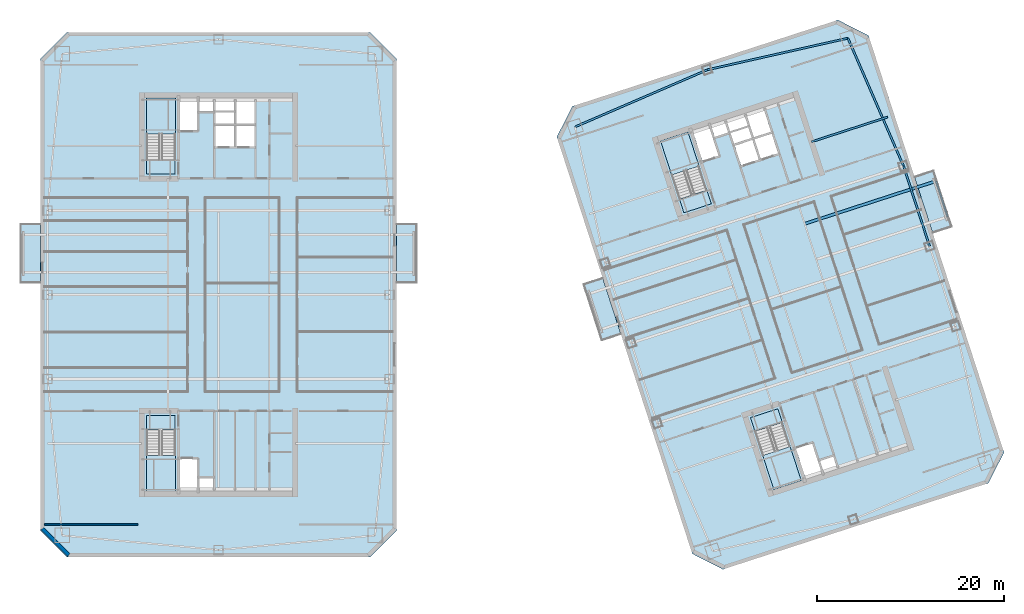
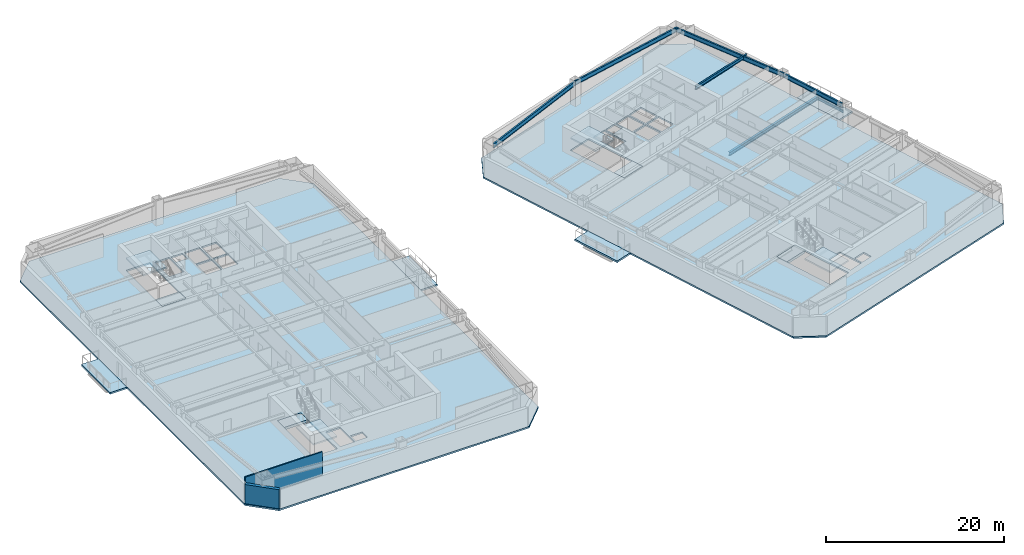
# One storey, part 3 of 15: 14 slabs, 7 beams, 2 walls, 4 elements without a shape of their own.
"""IFC4 building model written with IfcOpenShell, lengths in metres."""

import ifcopenshell
import ifcopenshell.guid

model = None  # the IFC model being written
_history = None  # IfcOwnerHistory: only IFC2X3 demands one
_inside = {}  # id of a spatial element -> (the spatial element, [elements in it])
_under = {}  # id of a project, library or spatial element -> (it, [spatial elements below it])
_declared = {}  # id of a project -> (the project, [libraries it declares])
_typed = {}  # id of a type object -> (the type object, [elements of that type])
_made_of = {}  # id of a material, layer set ... -> (it, [elements and type objects made of it])


def new_model(schema):
    """Start an empty IFC model of exactly this schema.

    Asked for "IFC4X3", IfcOpenShell would pick the latest addendum, in which some entities
    have other attributes; the version numbers below select the first issue.
    IFC2X3 requires an IfcOwnerHistory on every rooted entity: one is made here for all.
    """
    global model, _history
    if schema == "IFC4X3":
        model = ifcopenshell.file(schema_version=(4, 3, 0, 0))
    else:
        model = ifcopenshell.file(schema=schema)
    _inside.clear()
    _under.clear()
    _declared.clear()
    _typed.clear()
    _made_of.clear()
    _history = None
    if model.schema == "IFC2X3":
        org = make("IfcOrganization", Name="unknown")
        user = make(
            "IfcPersonAndOrganization",
            ThePerson=make("IfcPerson", FamilyName="unknown"),
            TheOrganization=org,
        )
        app = make(
            "IfcApplication",
            ApplicationDeveloper=org,
            Version="unknown",
            ApplicationFullName="unknown",
            ApplicationIdentifier="unknown",
        )
        _history = make(
            "IfcOwnerHistory",
            OwningUser=user,
            OwningApplication=app,
            ChangeAction="ADDED",
            CreationDate=0,
        )
    return model


def make(cls, **values):
    """One entity of the class cls with the attributes given. An attribute that is None is left unset."""
    return model.create_entity(
        cls, **{name: value for name, value in values.items() if value is not None}
    )


def rooted(cls, **values):
    """An entity with a GlobalId (a new one), such as an element, a storey or a relation."""
    return make(cls, GlobalId=ifcopenshell.guid.new(), OwnerHistory=_history, **values)


def si_unit(unit_type, name, prefix=None):
    """IfcSIUnit, for example si_unit("LENGTHUNIT", "METRE", prefix="MILLI")."""
    return make("IfcSIUnit", UnitType=unit_type, Prefix=prefix, Name=name)


def assignment(units):
    """IfcUnitAssignment: the units of a project."""
    return None if units is None else make("IfcUnitAssignment", Units=units)


def point(xyz):
    """IfcCartesianPoint."""
    return None if xyz is None else make("IfcCartesianPoint", Coordinates=xyz)


def direction(xyz):
    """IfcDirection."""
    return None if xyz is None else make("IfcDirection", DirectionRatios=xyz)


def frame(location, z_axis=None, x_axis=None):
    """IfcAxis2Placement3D, a coordinate frame: its origin and axes. An axis left out is left unset."""
    return make(
        "IfcAxis2Placement3D",
        Location=point(location),
        Axis=direction(z_axis),
        RefDirection=direction(x_axis),
    )


def frame_2d(location, x_axis=None):
    """IfcAxis2Placement2D, a coordinate frame in the plane: its origin and x axis."""
    return make(
        "IfcAxis2Placement2D", Location=point(location), RefDirection=direction(x_axis)
    )


def origin():
    """The frame at (0, 0, 0) with its axes left unset."""
    return frame((0.0, 0.0, 0.0))


def origin_2d():
    """The frame at (0, 0) in the plane with its x axis left unset."""
    return frame_2d((0.0, 0.0))


def place(relative_to, where):
    """IfcLocalPlacement: puts the frame where relative to a parent placement (None: the world)."""
    return make(
        "IfcLocalPlacement", PlacementRelTo=relative_to, RelativePlacement=where
    )


def context(
    kind, dimensions, precision=None, world=None, true_north=None, identifier=None
):
    """IfcGeometricRepresentationContext, for example the 3D "Model" context."""
    return make(
        "IfcGeometricRepresentationContext",
        ContextIdentifier=identifier,
        ContextType=kind,
        CoordinateSpaceDimension=dimensions,
        Precision=precision,
        WorldCoordinateSystem=world,
        TrueNorth=true_north,
    )


def subcontext(parent, identifier, kind, view, scale=None):
    """IfcGeometricRepresentationSubContext, for example "Body" below "Model"."""
    return make(
        "IfcGeometricRepresentationSubContext",
        ContextIdentifier=identifier,
        ContextType=kind,
        ParentContext=parent,
        TargetScale=scale,
        TargetView=view,
    )


def project(units=None, contexts=None):
    """IfcProject with its units and contexts."""
    return rooted(
        "IfcProject",
        Name="project",
        RepresentationContexts=contexts,
        UnitsInContext=assignment(units),
    )


def spatial(cls, under=None, at=None, **own):
    """A site, building, storey or space (cls), placed at a placement, below another one or the project."""
    s = rooted(cls, ObjectPlacement=at, **own)
    if under is not None:
        _under.setdefault(under.id(), (under, []))[1].append(s)
    return s


def polyline(points):
    """IfcPolyline through the points."""
    return make("IfcPolyline", Points=[point(p) for p in points])


def profile(cls, at=None, kind="AREA", **sizes):
    """A parametric profile (cls). Its sizes go by their IFC names, for example OverallWidth=200.0."""
    return make(cls, ProfileType=kind, Position=at, **sizes)


def rectangle(**sizes):
    """IfcRectangleProfileDef."""
    return profile("IfcRectangleProfileDef", **sizes)


def i_section(**sizes):
    """IfcIShapeProfileDef."""
    return profile("IfcIShapeProfileDef", **sizes)


def outline(outer, holes=None, kind="AREA"):
    """IfcArbitraryClosedProfileDef: a profile drawn as a closed curve; with holes, ...WithVoids."""
    if holes is None:
        return make("IfcArbitraryClosedProfileDef", ProfileType=kind, OuterCurve=outer)
    return make(
        "IfcArbitraryProfileDefWithVoids",
        ProfileType=kind,
        OuterCurve=outer,
        InnerCurves=holes,
    )


def extrude(swept, where, along, depth):
    """IfcExtrudedAreaSolid: the profile swept, set in the frame where, extruded along a direction by depth."""
    return make(
        "IfcExtrudedAreaSolid",
        SweptArea=swept,
        Position=where,
        ExtrudedDirection=direction(along),
        Depth=depth,
    )


def shape(context_of_items, identifier, shape_type, items):
    """IfcShapeRepresentation: the items that make up one representation, for example the "Body"."""
    return make(
        "IfcShapeRepresentation",
        ContextOfItems=context_of_items,
        RepresentationIdentifier=identifier,
        RepresentationType=shape_type,
        Items=items,
    )


def material(Name=None, Category=None):
    """IfcMaterial."""
    return make("IfcMaterial", Name=Name, Category=Category)


def layer(
    of_material, thickness, ventilated=None, Name=None, Category=None, Priority=None
):
    """IfcMaterialLayer: one layer of a wall or slab, of a material (None: an air gap)."""
    return make(
        "IfcMaterialLayer",
        Material=of_material,
        LayerThickness=thickness,
        IsVentilated=ventilated,
        Name=Name,
        Category=Category,
        Priority=Priority,
    )


def layer_set(layers, Name=None):
    """IfcMaterialLayerSet."""
    return make("IfcMaterialLayerSet", MaterialLayers=layers, LayerSetName=Name)


def material_profile(
    of_material, cross_section, Name=None, Category=None, Priority=None
):
    """IfcMaterialProfile: a cross section and its material."""
    return make(
        "IfcMaterialProfile",
        Name=Name,
        Material=of_material,
        Profile=cross_section,
        Priority=Priority,
        Category=Category,
    )


def profile_set(profiles, Name=None, composite=None):
    """IfcMaterialProfileSet."""
    return make(
        "IfcMaterialProfileSet",
        Name=Name,
        MaterialProfiles=profiles,
        CompositeProfile=composite,
    )


def made_of(thing, what):
    """Note that an element or type object is made of a material, layer set ...; save() writes the relation."""
    if what is not None:
        _made_of.setdefault(what.id(), (what, []))[1].append(thing)
    return thing


def type_object(cls, material=None, **own):
    """A type object (cls), such as IfcWallType, which elements share."""
    return made_of(rooted(cls, **own), material)


def element(
    cls,
    number,
    at=None,
    inside=None,
    cuts=None,
    type_object=None,
    material=None,
    context=None,
    identifier="Body",
    shape_type=None,
    held_by="IfcProductDefinitionShape",
    body=None,
    shapes=None,
    **own,
):
    """One element of the class cls, such as IfcWall. Its Tag is "e" and its number.

    at: its placement. inside: the storey or other place that contains it. cuts: it is an
    opening in that element (IfcRelVoidsElement). A single representation is given by context,
    identifier, shape_type and body (its items); several are given by shapes. held_by: the class
    of the entity that holds the representations. save() writes the other relations.
    """
    e = rooted(cls, Tag="e%d" % number, ObjectPlacement=at, **own)
    if body is not None:
        shapes = [shape(context, identifier, shape_type, body)]
    if shapes is not None:
        e.Representation = make(held_by, Representations=shapes)
    if inside is not None:
        _inside.setdefault(inside.id(), (inside, []))[1].append(e)
    if cuts is not None:
        rooted(
            "IfcRelVoidsElement", RelatingBuildingElement=cuts, RelatedOpeningElement=e
        )
    if type_object is not None:
        _typed.setdefault(type_object.id(), (type_object, []))[1].append(e)
    return made_of(e, material)


def aggregate(whole, parts):
    """IfcRelAggregates: a whole, such as a stair, and the parts it consists of."""
    return rooted("IfcRelAggregates", RelatingObject=whole, RelatedObjects=parts)


def save(model, path):
    """Write the relations noted so far, then the file.

    IfcRelAggregates (storeys below a building ...), IfcRelContainedInSpatialStructure (elements
    in a storey), IfcRelDefinesByType, IfcRelAssociatesMaterial and IfcRelDeclares: one each for
    every whole, place, type object, material and project.
    """
    for whole, parts in _under.values():
        aggregate(whole, parts)
    for where, things in _inside.values():
        rooted(
            "IfcRelContainedInSpatialStructure",
            RelatedElements=things,
            RelatingStructure=where,
        )
    for kind, things in _typed.values():
        rooted("IfcRelDefinesByType", RelatedObjects=things, RelatingType=kind)
    for what, things in _made_of.values():
        rooted("IfcRelAssociatesMaterial", RelatedObjects=things, RelatingMaterial=what)
    for by, libraries in _declared.values():
        rooted("IfcRelDeclares", RelatingContext=by, RelatedDefinitions=libraries)
    model.write(path)


model = new_model("IFC4")

# Units and contexts
model_context = context("Model", 3, precision=1e-05, world=origin(), true_north=direction((0.0, 1.0)))
body_context = subcontext(model_context, "Body", "Model", "MODEL_VIEW")
ifc_project = project(units=[si_unit("LENGTHUNIT", "METRE"), si_unit("AREAUNIT", "SQUARE_METRE"), si_unit("VOLUMEUNIT", "CUBIC_METRE"), si_unit("PLANEANGLEUNIT", "RADIAN"), si_unit("MASSUNIT", "GRAM", prefix="KILO")], contexts=[model_context])

# Site, building, storey
site_placement = place(None, origin())
site = spatial("IfcSite", under=ifc_project, at=site_placement, CompositionType="ELEMENT")
building_placement = place(site_placement, origin())
building = spatial("IfcBuilding", under=site, at=building_placement, Name="Qiaolan Cultural Towers", CompositionType="ELEMENT")
storey_placement = place(building_placement, frame((0.0, 0.0, 113.85009765625)))
storey = spatial("IfcBuildingStorey", under=building, at=storey_placement, Name="L29", CompositionType="ELEMENT", Elevation=113.85009765625)

# Beams
ifc_material_1 = material(Name="Steel Q355B", Category="steel")
ifc_material_profile_1 = material_profile(ifc_material_1, i_section(OverallWidth=0.300048828125, OverallDepth=0.488037109375, WebThickness=0.010986328125, FlangeThickness=0.01806640625, at=origin_2d()), Name="HM488x300x11x18")
ifc_profile_set_1 = profile_set([ifc_material_profile_1], Name="Steel Q355B")
beam_type_1 = type_object("IfcBeamType", Name="BM-HM488x300x11x18", PredefinedType="BEAM", material=ifc_profile_set_1)
beam_1_placement = place(storey_placement, frame((92.58740234375, 41.570068359375, -0.524169921875), z_axis=(0.951059244395, 0.30900859802, 0.0), x_axis=(-0.30900859802, 0.951059244395, 0.0)))
element("IfcBeam", 1, at=beam_1_placement, inside=storey, type_object=beam_type_1, Name="L29 T2 Tree Balcony Back-Spanned Bracket Beam", PredefinedType="BEAM", context=body_context, shape_type="SweptSolid", body=[
    extrude(i_section(OverallWidth=0.300048828125, OverallDepth=0.488037109375, WebThickness=0.010986328125, FlangeThickness=0.01806640625, at=origin_2d()), origin(), (0.0, 0.0, 1.0), 14.75),
])
ifc_material_2 = material(Name="Steel Q355B", Category="steel")
ifc_material_profile_2 = material_profile(ifc_material_2, i_section(OverallWidth=0.175048828125, OverallDepth=0.35009765625, WebThickness=0.007080078125, FlangeThickness=0.010986328125, at=origin_2d()), Name="HN350x175x7x11")
ifc_profile_set_2 = profile_set([ifc_material_profile_2], Name="Steel Q355B")
beam_type_2 = type_object("IfcBeamType", Name="BM-JST-HN350x175x7x11", PredefinedType="JOIST", material=ifc_profile_set_2)
beam_2_placement = place(storey_placement, frame((107.8515625, 42.32373046875, -0.524169921875), z_axis=(-0.309022586479, 0.951054699292, 0.0), x_axis=(-0.951054699292, -0.309022586479, 0.0)))
element("IfcBeam", 2, at=beam_2_placement, inside=storey, type_object=beam_type_2, Name="L29 T2 Tree Balcony Outer Edge Beam", PredefinedType="JOIST", context=body_context, shape_type="SweptSolid", body=[
    extrude(i_section(OverallWidth=0.175048828125, OverallDepth=0.35009765625, WebThickness=0.007080078125, FlangeThickness=0.010986328125, at=origin_2d()), origin(), (0.0, 0.0, 1.0), 4.0),
])
ifc_material_3 = material(Name="Steel Q355B", Category="steel")
ifc_material_profile_3 = material_profile(ifc_material_3, i_section(OverallWidth=0.199951171875, OverallDepth=0.449951171875, WebThickness=0.009033203125, FlangeThickness=0.013916015625, at=origin_2d()), Name="HN450x200x9x14")
ifc_profile_set_3 = profile_set([ifc_material_profile_3], Name="Steel Q355B")
beam_type_3 = type_object("IfcBeamType", Name="BM-LNT-HN450x200x9x14", PredefinedType="LINTEL", material=ifc_profile_set_3)
beam_3_placement = place(storey_placement, frame((93.31787109375, 50.32421875, 2.96484375), z_axis=(0.951057358187, 0.309014403287, 0.0), x_axis=(-0.309014403287, 0.951057358187, 0.0)))
element("IfcBeam", 3, at=beam_3_placement, inside=storey, type_object=beam_type_3, Name="L29 T2 Core Flank Tie Lintel EN", PredefinedType="LINTEL", context=body_context, shape_type="SweptSolid", body=[
    extrude(i_section(OverallWidth=0.199951171875, OverallDepth=0.449951171875, WebThickness=0.009033203125, FlangeThickness=0.013916015625, at=origin_2d()), origin(), (0.0, 0.0, 1.0), 8.550048828125),
])
ifc_material_4 = material(Name="Steel Q355B", Category="steel")
ifc_material_profile_4 = material_profile(ifc_material_4, i_section(OverallWidth=0.199951171875, OverallDepth=0.60009765625, WebThickness=0.010986328125, FlangeThickness=0.01708984375, at=origin_2d()), Name="HN600x200x11x17")
ifc_profile_set_4 = profile_set([ifc_material_profile_4], Name="Steel Q355B")
beam_type_4 = type_object("IfcBeamType", Name="BM-SPD-HN600x200x11x17", PredefinedType="SPANDREL", material=ifc_profile_set_4)
beam_4_placement = place(storey_placement, frame((105.93017578125, 39.176025390625, 2.889892578125), z_axis=(-0.309024734286, 0.951054001411, 0.0), x_axis=(-0.951054001411, -0.309024734286, 0.0)))
element("IfcBeam", 4, at=beam_4_placement, inside=storey, type_object=beam_type_4, Name="L29 T2 Perimeter Spandrel Beam 5", PredefinedType="SPANDREL", context=body_context, shape_type="SweptSolid", body=[
    extrude(i_section(OverallWidth=0.199951171875, OverallDepth=0.60009765625, WebThickness=0.010986328125, FlangeThickness=0.01708984375, at=origin_2d()), origin(), (0.0, 0.0, 1.0), 9.0),
])
beam_5_placement = place(storey_placement, frame((103.14892578125, 47.735595703125, 2.889892578125), z_axis=(-0.398920370799, 0.916985571185, 0.0), x_axis=(-0.916985571185, -0.398920370799, 0.0)))
element("IfcBeam", 5, at=beam_5_placement, inside=storey, type_object=beam_type_4, Name="L29 T2 Perimeter Spandrel Beam 6", PredefinedType="SPANDREL", context=body_context, shape_type="SweptSolid", body=[
    extrude(i_section(OverallWidth=0.199951171875, OverallDepth=0.60009765625, WebThickness=0.010986328125, FlangeThickness=0.01708984375, at=origin_2d()), origin(), (0.0, 0.0, 1.0), 14.888916015625),
])
beam_6_placement = place(storey_placement, frame((97.20947265625, 61.388427734375, 2.889892578125), z_axis=(-0.975658154374, -0.219296980836, 0.0), x_axis=(0.219296980836, -0.975658154374, 0.0)))
element("IfcBeam", 6, at=beam_6_placement, inside=storey, type_object=beam_type_4, Name="L29 T2 Perimeter Spandrel Beam 7", PredefinedType="SPANDREL", context=body_context, shape_type="SweptSolid", body=[
    extrude(i_section(OverallWidth=0.199951171875, OverallDepth=0.60009765625, WebThickness=0.010986328125, FlangeThickness=0.01708984375, at=origin_2d()), origin(), (0.0, 0.0, 1.0), 15.38671875),
])
beam_7_placement = place(storey_placement, frame((82.197265625, 58.01416015625, 2.889892578125), z_axis=(-0.918217549337, -0.396076422032, 0.0), x_axis=(0.396076422032, -0.918217549337, 0.0)))
element("IfcBeam", 7, at=beam_7_placement, inside=storey, type_object=beam_type_4, Name="L29 T2 Perimeter Spandrel Beam 8", PredefinedType="SPANDREL", context=body_context, shape_type="SweptSolid", body=[
    extrude(i_section(OverallWidth=0.199951171875, OverallDepth=0.60009765625, WebThickness=0.010986328125, FlangeThickness=0.01708984375, at=origin_2d()), origin(), (0.0, 0.0, 1.0), 15.386474609375),
])

# Slabs
ifc_material_5 = material(Name="Concrete C45", Category="concrete")
ifc_layer_1 = layer(ifc_material_5, 0.239990234375)
ifc_layer_set_1 = layer_set([ifc_layer_1], Name="Concrete C45")
slab_type_1 = type_object("IfcSlabType", Name="SL-BAL-240", PredefinedType="FLOOR", material=ifc_layer_set_1)
slab_1_placement = place(storey_placement, frame((0.0, 0.0, -0.239990234375)))
element("IfcSlab", 8, at=slab_1_placement, inside=storey, type_object=slab_type_1, Name="L29 T1 Planted Tree Balcony W", PredefinedType="FLOOR", context=body_context, shape_type="SweptSolid", body=[
    extrude(outline(polyline([(8.800048828125, 35.199951171875), (11.0, 35.199951171875), (11.0, 41.60009765625), (8.800048828125, 41.60009765625), (8.800048828125, 35.199951171875)])), origin(), (0.0, 0.0, 1.0), 0.239990234375),
])
slab_2_placement = place(storey_placement, frame((0.0, 0.0, -0.239990234375)))
element("IfcSlab", 9, at=slab_2_placement, inside=storey, type_object=slab_type_1, Name="L29 T1 Planted Tree Balcony E", PredefinedType="FLOOR", context=body_context, shape_type="SweptSolid", body=[
    extrude(outline(polyline([(49.0, 35.199951171875), (51.199951171875, 35.199951171875), (51.199951171875, 41.60009765625), (49.0, 41.60009765625), (49.0, 35.199951171875)])), origin(), (0.0, 0.0, 1.0), 0.239990234375),
])
slab_3_placement = place(storey_placement, frame((0.0, 0.0, -0.239990234375)))
element("IfcSlab", 10, at=slab_3_placement, inside=storey, type_object=slab_type_1, Name="L29 T2 Planted Tree Balcony W", PredefinedType="FLOOR", context=body_context, shape_type="SweptSolid", body=[
    extrude(outline(polyline([(70.893310546875, 29.0537109375), (72.985595703125, 29.7333984375), (71.008056640625, 35.8203125), (68.915771484375, 35.140380859375), (70.893310546875, 29.0537109375)])), origin(), (0.0, 0.0, 1.0), 0.239990234375),
])
slab_4_placement = place(storey_placement, frame((0.0, 0.0, -0.239990234375)))
element("IfcSlab", 11, at=slab_4_placement, inside=storey, type_object=slab_type_1, Name="L29 T2 Planted Tree Balcony E", PredefinedType="FLOOR", context=body_context, shape_type="SweptSolid", body=[
    extrude(outline(polyline([(106.272705078125, 40.549072265625), (108.364990234375, 41.22900390625), (106.38720703125, 47.315673828125), (104.294921875, 46.6357421875), (106.272705078125, 40.549072265625)])), origin(), (0.0, 0.0, 1.0), 0.239990234375),
])

# Stair, slab
ifc_material_6 = material(Name="Concrete C45", Category="concrete")
stair_type = type_object("IfcStairType", Name="STR-CORE-1500", PredefinedType="HALF_TURN_STAIR", material=ifc_material_6)
stair_1_placement = place(storey_placement, origin())
stair_1 = element("IfcStair", 12, at=stair_1_placement, inside=storey, type_object=stair_type, Name="L29 Smokeproof Exit Stair ST-W1", PredefinedType="HALF_TURN_STAIR")
ifc_material_7 = material(Name="Concrete C45", Category="concrete")
ifc_layer_2 = layer(ifc_material_7, 0.199951171875)
ifc_layer_set_2 = layer_set([ifc_layer_2], Name="Concrete C45")
slab_type_2 = type_object("IfcSlabType", Name="SL-STAIR-LAND", PredefinedType="LANDING", material=ifc_layer_set_2)
slab_5_placement = place(storey_placement, frame((0.0, 0.0, 1.52490234375)))
slab_5 = element("IfcSlab", 13, at=slab_5_placement, type_object=slab_type_2, Name="ST-W1 landing 1", PredefinedType="LANDING", context=body_context, shape_type="SweptSolid", body=[
    extrude(outline(polyline([(22.300048828125, 16.851318359375), (22.300048828125, 13.0), (25.3798828125, 13.0), (25.3798828125, 16.851318359375), (22.300048828125, 16.851318359375)])), origin(), (0.0, 0.0, 1.0), 0.199951171875),
])
aggregate(stair_1, [slab_5])

stair_2_placement = place(storey_placement, origin())
stair_2 = element("IfcStair", 14, at=stair_2_placement, inside=storey, type_object=stair_type, Name="L29 Smokeproof Exit Stair ST-W2", PredefinedType="HALF_TURN_STAIR")
slab_6_placement = place(storey_placement, frame((0.0, 0.0, 1.52490234375)))
slab_6 = element("IfcSlab", 15, at=slab_6_placement, type_object=slab_type_2, Name="ST-W2 landing 1", PredefinedType="LANDING", context=body_context, shape_type="SweptSolid", body=[
    extrude(outline(polyline([(25.3798828125, 51.148681640625), (25.3798828125, 55.0), (22.300048828125, 55.0), (22.300048828125, 51.148681640625), (25.3798828125, 51.148681640625)])), origin(), (0.0, 0.0, 1.0), 0.199951171875),
])
aggregate(stair_2, [slab_6])

stair_3_placement = place(storey_placement, origin())
stair_3 = element("IfcStair", 16, at=stair_3_placement, inside=storey, type_object=stair_type, Name="L29 Smokeproof Exit Stair ST-E1", PredefinedType="HALF_TURN_STAIR")
slab_7_placement = place(storey_placement, frame((0.0, 0.0, 1.52490234375)))
slab_7 = element("IfcSlab", 17, at=slab_7_placement, type_object=slab_type_2, Name="ST-E1 landing 1", PredefinedType="LANDING", context=body_context, shape_type="SweptSolid", body=[
    extrude(outline(polyline([(88.114013671875, 16.828125), (89.30419921875, 13.165283203125), (92.2333984375, 14.116943359375), (91.04345703125, 17.77978515625), (88.114013671875, 16.828125)])), origin(), (0.0, 0.0, 1.0), 0.199951171875),
])
aggregate(stair_3, [slab_7])

stair_4_placement = place(storey_placement, origin())
stair_4 = element("IfcStair", 18, at=stair_4_placement, inside=storey, type_object=stair_type, Name="L29 Smokeproof Exit Stair ST-E2", PredefinedType="HALF_TURN_STAIR")
slab_8_placement = place(storey_placement, frame((0.0, 0.0, 1.52490234375)))
slab_8 = element("IfcSlab", 19, at=slab_8_placement, type_object=slab_type_2, Name="ST-E2 landing 1", PredefinedType="LANDING", context=body_context, shape_type="SweptSolid", body=[
    extrude(outline(polyline([(81.31005859375, 47.735595703125), (80.1201171875, 51.3984375), (77.190673828125, 50.44677734375), (78.380859375, 46.783935546875), (81.31005859375, 47.735595703125)])), origin(), (0.0, 0.0, 1.0), 0.199951171875),
])
aggregate(stair_4, [slab_8])

# Slabs
ifc_material_8 = material(Name="Concrete C40", Category="concrete")
ifc_layer_3 = layer(ifc_material_8, 0.360107421875)
ifc_layer_set_3 = layer_set([ifc_layer_3], Name="Concrete C40")
slab_type_3 = type_object("IfcSlabType", Name="SL-STFLR-360", PredefinedType="LANDING", material=ifc_layer_set_3)
slab_9_placement = place(storey_placement, frame((0.0, 0.0, -0.360107421875)))
element("IfcSlab", 20, at=slab_9_placement, inside=storey, type_object=slab_type_3, Name="L29 ST-W1 Stair Floor Landing Slab", PredefinedType="LANDING", context=body_context, shape_type="SweptSolid", body=[
    extrude(outline(polyline([(22.302001953125, 21.097900390625), (22.302001953125, 19.548583984375), (25.3779296875, 19.548583984375), (25.3779296875, 21.097900390625), (22.302001953125, 21.097900390625)])), origin(), (0.0, 0.0, 1.0), 0.360107421875),
])
slab_10_placement = place(storey_placement, frame((0.0, 0.0, -0.360107421875)))
element("IfcSlab", 21, at=slab_10_placement, inside=storey, type_object=slab_type_3, Name="L29 ST-W2 Stair Floor Landing Slab", PredefinedType="LANDING", context=body_context, shape_type="SweptSolid", body=[
    extrude(outline(polyline([(25.3779296875, 46.902099609375), (25.3779296875, 48.451416015625), (22.302001953125, 48.451416015625), (22.302001953125, 46.902099609375), (25.3779296875, 46.902099609375)])), origin(), (0.0, 0.0, 1.0), 0.360107421875),
])
slab_11_placement = place(storey_placement, frame((0.0, 0.0, -0.360107421875)))
element("IfcSlab", 22, at=slab_11_placement, inside=storey, type_object=slab_type_3, Name="L29 ST-E1 Stair Floor Landing Slab", PredefinedType="LANDING", context=body_context, shape_type="SweptSolid", body=[
    extrude(outline(polyline([(86.8037109375, 20.867431640625), (87.282470703125, 19.39404296875), (90.2080078125, 20.3447265625), (89.729248046875, 21.818115234375), (86.8037109375, 20.867431640625)])), origin(), (0.0, 0.0, 1.0), 0.360107421875),
])
slab_12_placement = place(storey_placement, frame((0.0, 0.0, -0.360107421875)))
element("IfcSlab", 23, at=slab_12_placement, inside=storey, type_object=slab_type_3, Name="L29 ST-E2 Stair Floor Landing Slab", PredefinedType="LANDING", context=body_context, shape_type="SweptSolid", body=[
    extrude(outline(polyline([(82.62060546875, 43.6962890625), (82.141845703125, 45.169677734375), (79.21630859375, 44.21923828125), (79.695068359375, 42.74560546875), (82.62060546875, 43.6962890625)])), origin(), (0.0, 0.0, 1.0), 0.360107421875),
])
ifc_material_9 = material(Name="Concrete C45", Category="concrete")
ifc_layer_4 = layer(ifc_material_9, 0.219970703125)
ifc_layer_set_4 = layer_set([ifc_layer_4], Name="Concrete C45")
slab_type_4 = type_object("IfcSlabType", Name="SL-TYP-220", PredefinedType="FLOOR", material=ifc_layer_set_4)
slab_13_placement = place(storey_placement, frame((0.0, 0.0, -0.22021484375)))
element("IfcSlab", 24, at=slab_13_placement, inside=storey, type_object=slab_type_4, Name="L29 West Tower Floor Slab", PredefinedType="FLOOR", context=body_context, shape_type="SweptSolid", body=[
    extrude(outline(polyline([(13.800048828125, 6.0), (46.199951171875, 6.0), (49.0, 8.800048828125), (49.0, 59.199951171875), (46.199951171875, 62.0), (13.800048828125, 62.0), (11.0, 59.199951171875), (11.0, 8.800048828125), (13.800048828125, 6.0)]), holes=[polyline([(22.300048828125, 21.10009765625), (22.300048828125, 13.0), (25.3798828125, 13.0), (25.3798828125, 21.10009765625), (22.300048828125, 21.10009765625)]), polyline([(25.3798828125, 46.89990234375), (25.3798828125, 55.0), (22.300048828125, 55.0), (22.300048828125, 46.89990234375), (25.3798828125, 46.89990234375)]), polyline([(25.89990234375, 13.199951171875), (27.75, 13.199951171875), (27.75, 16.449951171875), (25.89990234375, 16.449951171875), (25.89990234375, 13.199951171875)]), polyline([(27.93994140625, 13.25), (29.449951171875, 13.25), (29.449951171875, 14.419921875), (27.93994140625, 14.419921875), (27.93994140625, 13.25)]), polyline([(25.89990234375, 51.550048828125), (27.75, 51.550048828125), (27.75, 54.800048828125), (25.89990234375, 54.800048828125), (25.89990234375, 51.550048828125)]), polyline([(27.93994140625, 53.580078125), (29.449951171875, 53.580078125), (29.449951171875, 54.75), (27.93994140625, 54.75), (27.93994140625, 53.580078125)]), polyline([(29.679931640625, 49.820068359375), (31.679931640625, 49.820068359375), (31.679931640625, 52.080078125), (29.679931640625, 52.080078125), (29.679931640625, 49.820068359375)]), polyline([(31.8798828125, 49.820068359375), (33.820068359375, 49.820068359375), (33.820068359375, 52.080078125), (31.8798828125, 52.080078125), (31.8798828125, 49.820068359375)]), polyline([(29.679931640625, 52.27001953125), (31.659912109375, 52.27001953125), (31.659912109375, 54.75), (29.679931640625, 54.75), (29.679931640625, 52.27001953125)]), polyline([(31.8798828125, 52.27001953125), (33.820068359375, 52.27001953125), (33.820068359375, 54.75), (31.8798828125, 54.75), (31.8798828125, 52.27001953125)])]), origin(), (0.0, 0.0, 1.0), 0.22021484375),
])
slab_14_placement = place(storey_placement, frame((0.0, 0.0, -0.22021484375)))
element("IfcSlab", 25, at=slab_14_placement, inside=storey, type_object=slab_type_4, Name="L29 East Tower Floor Slab", PredefinedType="FLOOR", context=body_context, shape_type="SweptSolid", body=[
    extrude(outline(polyline([(83.86376953125, 4.668212890625), (112.205078125, 13.876953125), (113.87451171875, 17.153076171875), (99.41259765625, 61.66259765625), (96.13623046875, 63.331787109375), (67.794921875, 54.123046875), (66.12548828125, 50.846923828125), (80.58740234375, 6.33740234375), (83.86376953125, 4.668212890625)]), holes=[polyline([(86.80126953125, 20.868896484375), (89.30419921875, 13.165283203125), (92.2333984375, 14.116943359375), (89.73046875, 21.820556640625), (86.80126953125, 20.868896484375)]), polyline([(82.623046875, 43.69482421875), (80.1201171875, 51.3984375), (77.190673828125, 50.44677734375), (79.69384765625, 42.7431640625), (82.623046875, 43.69482421875)]), polyline([(92.666259765625, 14.468017578125), (94.42578125, 15.03955078125), (93.42138671875, 18.130615234375), (91.661865234375, 17.558837890625), (92.666259765625, 14.468017578125)]), polyline([(94.5908203125, 15.14599609375), (96.027099609375, 15.612548828125), (95.66552734375, 16.725341796875), (94.2294921875, 16.258544921875), (94.5908203125, 15.14599609375)]), polyline([(81.6806640625, 48.278076171875), (83.440185546875, 48.849609375), (82.435791015625, 51.940673828125), (80.67626953125, 51.368896484375), (81.6806640625, 48.278076171875)]), polyline([(82.993408203125, 50.839111328125), (84.4296875, 51.3056640625), (84.068115234375, 52.41845703125), (82.632080078125, 51.95166015625), (82.993408203125, 50.839111328125)]), polyline([(85.810302734375, 47.80078125), (87.71240234375, 48.418701171875), (87.013916015625, 50.568115234375), (85.11181640625, 49.9501953125), (85.810302734375, 47.80078125)]), polyline([(87.902587890625, 48.480712890625), (89.74755859375, 49.080078125), (89.04931640625, 51.2294921875), (87.2041015625, 50.6298828125), (87.902587890625, 48.480712890625)]), polyline([(85.05322265625, 50.130859375), (86.936279296875, 50.74267578125), (86.169921875, 53.101318359375), (84.286865234375, 52.489501953125), (85.05322265625, 50.130859375)]), polyline([(87.1455078125, 50.810791015625), (88.990478515625, 51.41015625), (88.22412109375, 53.768798828125), (86.379150390625, 53.169189453125), (87.1455078125, 50.810791015625)])]), origin(), (0.0, 0.0, 1.0), 0.22021484375),
])

# Walls
ifc_material_10 = material(Name="Precast Concrete C50 Honed Stone Pier", Category="masonry")
ifc_layer_5 = layer(ifc_material_10, 0.39990234375)
ifc_layer_set_5 = layer_set([ifc_layer_5], Name="Precast Concrete C50 Honed Stone Pier")
wall_type_1 = type_object("IfcWallType", Name="WL-EXT-PIER-400", PredefinedType="SOLIDWALL", material=ifc_layer_set_5)
wall_1_placement = place(storey_placement, frame((14.0, 6.199951171875, 0.0), z_axis=(0.0, 0.0, 1.0), x_axis=(-0.707106781187, 0.707106781187, 0.0)))
element("IfcWall", 26, at=wall_1_placement, inside=storey, type_object=wall_type_1, Name="L29 West Tower Precast Pier Facade Wall F8", PredefinedType="SOLIDWALL", context=body_context, shape_type="SweptSolid", body=[
    extrude(rectangle(XDim=3.9599609375, YDim=0.39990234375, at=frame_2d((1.97998046875, 0.0))), origin(), (0.0, 0.0, 1.0), 2.60986328125),
])
ifc_material_11 = material(Name="Autoclaved Aerated Concrete Block B06", Category="concrete")
ifc_layer_6 = layer(ifc_material_11, 0.14990234375)
ifc_layer_set_6 = layer_set([ifc_layer_6], Name="Autoclaved Aerated Concrete Block B06")
wall_type_2 = type_object("IfcWallType", Name="WL-PART-150", PredefinedType="PARTITIONING", material=ifc_layer_set_6)
wall_2_placement = place(storey_placement, frame((11.39990234375, 9.449951171875, 0.0), z_axis=(0.0, 0.0, 1.0), x_axis=(1.0, 0.0, 0.0)))
element("IfcWall", 27, at=wall_2_placement, inside=storey, type_object=wall_type_2, Name="L29 T1 Flank Wall FLK-SW", PredefinedType="PARTITIONING", context=body_context, shape_type="SweptSolid", body=[
    extrude(rectangle(XDim=10.0, YDim=0.14990234375, at=frame_2d((5.0, 0.0))), origin(), (0.0, 0.0, 1.0), 3.1748046875),
])

save(model, "model.ifc")
